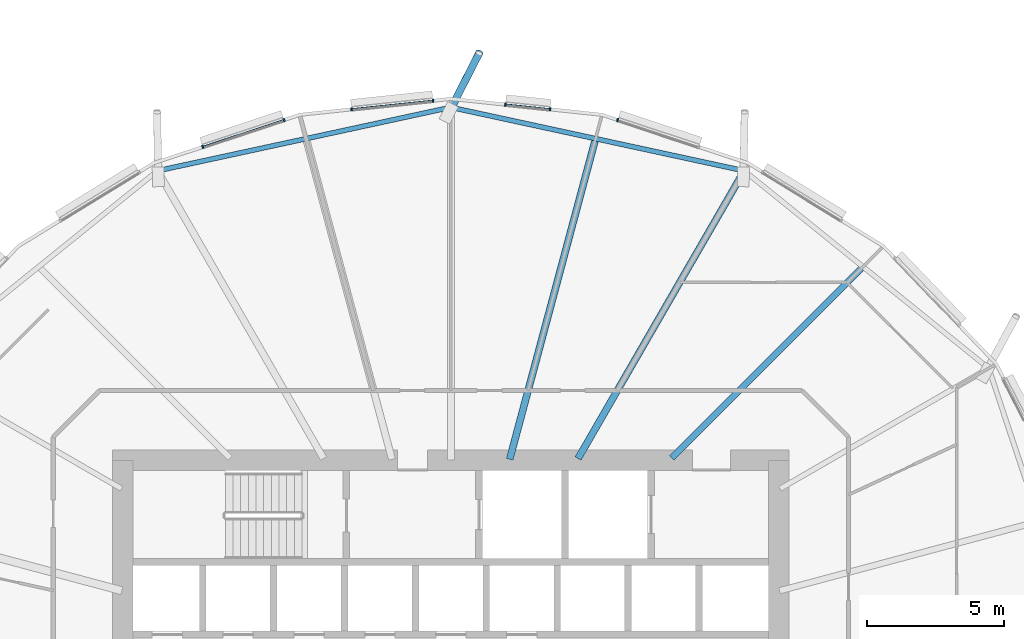
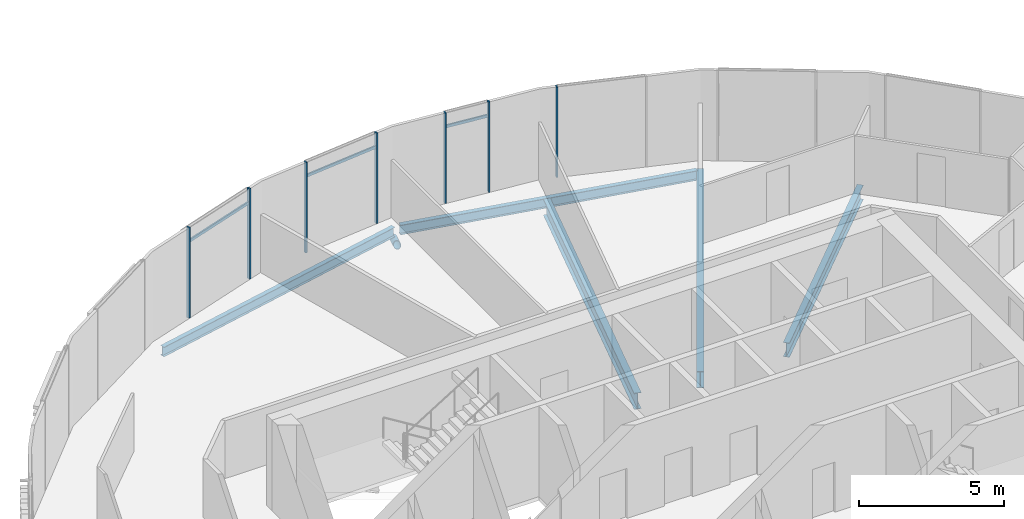
# One storey, part 10 of 43: 11 members, 5 beams, 1 element without a shape of its own.
"""IFC4 building model written with IfcOpenShell, lengths in metres."""

from ifc_helpers import new_model, si_unit, direction, frame, origin, origin_2d, place, context, subcontext, project, spatial, rectangle, hollow_circle, i_section, extrude, clip, halfspace, material, material_profile, profile_set, type_object, element, aggregate, save


model = new_model("IFC4")

# Units and contexts
model_context = context("Model", 3, precision=1e-05, world=origin(), true_north=direction((0.0, 1.0)))
body_context = subcontext(model_context, "Body", "Model", "MODEL_VIEW")
ifc_project = project(units=[si_unit("LENGTHUNIT", "METRE"), si_unit("AREAUNIT", "SQUARE_METRE"), si_unit("VOLUMEUNIT", "CUBIC_METRE"), si_unit("PLANEANGLEUNIT", "RADIAN"), si_unit("MASSUNIT", "GRAM", prefix="KILO")], contexts=[model_context])

# Site, building, storey
site_placement = place(None, origin())
site = spatial("IfcSite", under=ifc_project, at=site_placement, CompositionType="ELEMENT")
building_placement = place(site_placement, origin())
building = spatial("IfcBuilding", under=site, at=building_placement, Name="Rimbun Link Towers", CompositionType="ELEMENT")
storey_placement = place(building_placement, frame((0.0, 0.0, 81.60009765625)))
storey = spatial("IfcBuildingStorey", under=building, at=storey_placement, Name="L19", CompositionType="ELEMENT", Elevation=81.60009765625)

# Curtain wall, members
ifc_material_1 = material(Name="Aluminium 6063-T6 and low-iron glass", Category="aluminium")
curtain_wall_type = type_object("IfcCurtainWallType", Name="CW1-Z2 unitised vision wall (zone 2)", PredefinedType="NOTDEFINED", material=ifc_material_1)
curtain_wall_placement = place(storey_placement, origin())
curtain_wall = element("IfcCurtainWall", 1, at=curtain_wall_placement, inside=storey, type_object=curtain_wall_type, Name="CW1 L19 T1", PredefinedType="NOTDEFINED")
ifc_material_2 = material(Name="Aluminium 6063-T6", Category="aluminium")
ifc_material_profile_1 = material_profile(ifc_material_2, rectangle(XDim=0.1201171875, YDim=0.06005859375, at=origin_2d()), Name="MULLION 60X120")
ifc_profile_set_1 = profile_set([ifc_material_profile_1], Name="Aluminium 6063-T6")
member_type_1 = type_object("IfcMemberType", Name="CW1 mullion 60X120", PredefinedType="MULLION", material=ifc_profile_set_1)
member_1_placement = place(storey_placement, frame((-25.645751953125, 20.453369140625, 0.0), z_axis=(0.0, 0.0, 1.0), x_axis=(0.314576015911, 0.949232284646, 0.0)))
member_1 = element("IfcMember", 2, at=member_1_placement, type_object=member_type_1, Name="CW1 mullion", PredefinedType="MULLION", context=body_context, shape_type="SweptSolid", body=[
    extrude(rectangle(XDim=0.1201171875, YDim=0.06005859375, at=origin_2d()), origin(), (0.0, 0.0, 1.0), 3.7998046875),
])
member_2_placement = place(storey_placement, frame((-29.754638671875, 21.01611328125, 0.0), z_axis=(0.0, 0.0, 1.0), x_axis=(0.104736404583, 0.994500017876, 0.0)))
member_2 = element("IfcMember", 3, at=member_2_placement, type_object=member_type_1, Name="CW1 mullion", PredefinedType="MULLION", context=body_context, shape_type="SweptSolid", body=[
    extrude(rectangle(XDim=0.1201171875, YDim=0.06005859375, at=origin_2d()), origin(), (0.0, 0.0, 1.0), 3.7998046875),
])
member_3_placement = place(storey_placement, frame((-28.117431640625, 20.84375, 0.0), z_axis=(0.0, 0.0, 1.0), x_axis=(0.104736404583, 0.994500017876, 0.0)))
member_3 = element("IfcMember", 4, at=member_3_placement, type_object=member_type_1, Name="CW1 mullion", PredefinedType="MULLION", context=body_context, shape_type="SweptSolid", body=[
    extrude(rectangle(XDim=0.1201171875, YDim=0.06005859375, at=origin_2d()), origin(), (0.0, 0.0, 1.0), 3.7998046875),
])
member_4_placement = place(storey_placement, frame((-35.382568359375, 20.84375, 0.0), z_axis=(0.0, 0.0, 1.0), x_axis=(-0.104736404583, 0.994500017876, 0.0)))
member_4 = element("IfcMember", 5, at=member_4_placement, type_object=member_type_1, Name="CW1 mullion", PredefinedType="MULLION", context=body_context, shape_type="SweptSolid", body=[
    extrude(rectangle(XDim=0.1201171875, YDim=0.06005859375, at=origin_2d()), origin(), (0.0, 0.0, 1.0), 3.7998046875),
])
member_5_placement = place(storey_placement, frame((-32.402587890625, 21.157470703125, 0.0), z_axis=(0.0, 0.0, 1.0), x_axis=(-0.104736404583, 0.994500017876, 0.0)))
member_5 = element("IfcMember", 6, at=member_5_placement, type_object=member_type_1, Name="CW1 mullion", PredefinedType="MULLION", context=body_context, shape_type="SweptSolid", body=[
    extrude(rectangle(XDim=0.1201171875, YDim=0.06005859375, at=origin_2d()), origin(), (0.0, 0.0, 1.0), 3.7998046875),
])
member_6_placement = place(storey_placement, frame((-40.8271484375, 19.468017578125, 0.0), z_axis=(0.0, 0.0, 1.0), x_axis=(-0.314576015911, 0.949232284646, 0.0)))
member_6 = element("IfcMember", 7, at=member_6_placement, type_object=member_type_1, Name="CW1 mullion", PredefinedType="MULLION", context=body_context, shape_type="SweptSolid", body=[
    extrude(rectangle(XDim=0.1201171875, YDim=0.06005859375, at=origin_2d()), origin(), (0.0, 0.0, 1.0), 3.7998046875),
])
member_7_placement = place(storey_placement, frame((-37.854248046875, 20.453369140625, 0.0), z_axis=(0.0, 0.0, 1.0), x_axis=(-0.314576015911, 0.949232284646, 0.0)))
member_7 = element("IfcMember", 8, at=member_7_placement, type_object=member_type_1, Name="CW1 mullion", PredefinedType="MULLION", context=body_context, shape_type="SweptSolid", body=[
    extrude(rectangle(XDim=0.1201171875, YDim=0.06005859375, at=origin_2d()), origin(), (0.0, 0.0, 1.0), 3.7998046875),
])
ifc_material_3 = material(Name="Aluminium 6063-T6", Category="aluminium")
ifc_material_profile_2 = material_profile(ifc_material_3, rectangle(XDim=0.06005859375, YDim=0.1201171875, at=origin_2d()), Name="TRANSOM 60X120")
ifc_profile_set_2 = profile_set([ifc_material_profile_2], Name="Aluminium 6063-T6")
member_type_2 = type_object("IfcMemberType", Name="CW1 transom 60X120", PredefinedType="USERDEFINED", material=ifc_profile_set_2)
member_8_placement = place(storey_placement, frame((-29.72509765625, 21.010986328125, 3.199951171875), z_axis=(0.99450882558, -0.104652739306, 0.0), x_axis=(0.104652739306, 0.99450882558, 0.0)))
member_8 = element("IfcMember", 9, at=member_8_placement, type_object=member_type_2, Name="CW1 transom", ObjectType="TRANSOM", PredefinedType="USERDEFINED", context=body_context, shape_type="SweptSolid", body=[
    extrude(rectangle(XDim=0.06005859375, YDim=0.1201171875, at=origin_2d()), origin(), (0.0, 0.0, 1.0), 1.58642578125),
])
member_9_placement = place(storey_placement, frame((-35.3525390625, 20.844970703125, 3.199951171875), z_axis=(0.994505908505, 0.104680456384, 0.0), x_axis=(-0.104680456384, 0.994505908505, 0.0)))
member_9 = element("IfcMember", 10, at=member_9_placement, type_object=member_type_2, Name="CW1 transom", ObjectType="TRANSOM", PredefinedType="USERDEFINED", context=body_context, shape_type="SweptSolid", body=[
    extrude(rectangle(XDim=0.06005859375, YDim=0.1201171875, at=origin_2d()), origin(), (0.0, 0.0, 1.0), 2.936279296875),
])
member_10_placement = place(storey_placement, frame((-40.798095703125, 19.4755859375, 3.199951171875), z_axis=(0.949238148414, 0.314558321452, 0.0), x_axis=(-0.314558321452, 0.949238148414, 0.0)))
member_10 = element("IfcMember", 11, at=member_10_placement, type_object=member_type_2, Name="CW1 transom", ObjectType="TRANSOM", PredefinedType="USERDEFINED", context=body_context, shape_type="SweptSolid", body=[
    extrude(rectangle(XDim=0.06005859375, YDim=0.1201171875, at=origin_2d()), origin(), (0.0, 0.0, 1.0), 3.072021484375),
])
aggregate(curtain_wall, [member_1, member_2, member_3, member_4, member_5, member_6, member_7, member_8, member_9, member_10])

# Member
ifc_material_4 = material(Name="Steel S355J2H", Category="steel")
ifc_material_profile_3 = material_profile(ifc_material_4, hollow_circle(Radius=0.136474609375, WallThickness=0.012451171875, at=origin_2d()), Name="CHS 273x12.5")
ifc_profile_set_3 = profile_set([ifc_material_profile_3], Name="Steel S355J2H")
member_type_3 = type_object("IfcMemberType", Name="Floor edge link CHS 273x12.5", PredefinedType="BRACE", material=ifc_profile_set_3)
member_11_placement = place(storey_placement, frame((-31.75, 20.864501953125, -0.961669921875), z_axis=(0.394025761172, 0.771846211464, -0.498996117602), x_axis=(-0.890655957351, 0.454677870184, 0.0)))
element("IfcMember", 12, at=member_11_placement, inside=storey, type_object=member_type_3, Name="Floor edge link T1 L19 06", PredefinedType="BRACE", context=body_context, shape_type="Clipping", body=[
    clip(extrude(hollow_circle(Radius=0.136474609375, WallThickness=0.012451171875, at=origin_2d()), frame((0.0, 0.0, -0.494140625)), (0.0, 0.0, 1.0), 3.17578125), halfspace(frame((0.0, 0.0, -0.232666015625), z_axis=(0.0, 0.866604220286, -0.498996117602)), False)),
])

# Beams
ifc_material_5 = material(Name="Steel S355J2", Category="steel")
ifc_material_profile_4 = material_profile(ifc_material_5, i_section(OverallWidth=0.177978515625, OverallDepth=0.406494140625, WebThickness=0.0078125, FlangeThickness=0.0126953125, at=origin_2d()), Name="UB 406x178x60")
ifc_profile_set_4 = profile_set([ifc_material_profile_4], Name="Steel S355J2")
beam_type_1 = type_object("IfcBeamType", Name="UB 406x178x60", PredefinedType="BEAM", material=ifc_profile_set_4)
for number, where, z_axis, x_axis, name in (
    (13, (-21.14697265625, 18.62060546875, -0.36328125), (-0.97738681587, 0.211459244686, 0.0), (-0.211459244686, -0.97738681587, 0.0), "Edge beam T1 L19 04-06"),
    (14, (-31.877685546875, 20.886962890625, -0.36328125), (-0.97738681587, -0.211459244686, 0.0), (0.211459244686, -0.97738681587, 0.0), "Edge beam T1 L19 06-08"),
):
    element("IfcBeam", number, at=place(storey_placement, frame(where, z_axis=z_axis, x_axis=x_axis)), inside=storey, type_object=beam_type_1, Name=name, PredefinedType="BEAM", context=body_context, shape_type="SweptSolid", body=[
        extrude(i_section(OverallWidth=0.177978515625, OverallDepth=0.406494140625, WebThickness=0.0078125, FlangeThickness=0.0126953125, at=origin_2d()), origin(), (0.0, 0.0, 1.0), 10.7177734375),
    ])
ifc_material_6 = material(Name="Steel S355J2", Category="steel")
ifc_material_profile_5 = material_profile(ifc_material_6, i_section(OverallWidth=0.2275390625, OverallDepth=0.6025390625, WebThickness=0.010498046875, FlangeThickness=0.014892578125, at=origin_2d()), Name="UB 610x229x101")
ifc_profile_set_5 = profile_set([ifc_material_profile_5], Name="Steel S355J2")
beam_type_2 = type_object("IfcBeamType", Name="UB 610x229x101", PredefinedType="BEAM", material=ifc_profile_set_5)
beam_1_placement = place(storey_placement, frame((-23.668701171875, 8.081298828125, -0.46142578125), z_axis=(0.707106781187, 0.707106781187, 0.0), x_axis=(-0.707106781187, 0.707106781187, 0.0)))
element("IfcBeam", 15, at=beam_1_placement, inside=storey, type_object=beam_type_2, Name="Radial beam T1 L19 03", PredefinedType="BEAM", context=body_context, shape_type="SweptSolid", body=[
    extrude(i_section(OverallWidth=0.2275390625, OverallDepth=0.6025390625, WebThickness=0.010498046875, FlangeThickness=0.014892578125, at=origin_2d()), origin(), (0.0, 0.0, 1.0), 9.809326171875),
])
ifc_material_7 = material(Name="Steel S355J2", Category="steel")
ifc_material_profile_6 = material_profile(ifc_material_7, i_section(OverallWidth=0.253662109375, OverallDepth=0.68359375, WebThickness=0.012451171875, FlangeThickness=0.01904296875, at=origin_2d()), Name="UB 686x254x140")
ifc_profile_set_6 = profile_set([ifc_material_profile_6], Name="Steel S355J2")
beam_type_3 = type_object("IfcBeamType", Name="UB 686x254x140", PredefinedType="BEAM", material=ifc_profile_set_6)
beam_2_placement = place(storey_placement, frame((-27.093994140625, 8.064208984375, -0.501953125), z_axis=(0.499998860433, 0.866026061713, 0.0), x_axis=(-0.866026061713, 0.499998860433, 0.0)))
element("IfcBeam", 16, at=beam_2_placement, inside=storey, type_object=beam_type_3, Name="Radial beam T1 L19 04", PredefinedType="BEAM", context=body_context, shape_type="SweptSolid", body=[
    extrude(i_section(OverallWidth=0.253662109375, OverallDepth=0.68359375, WebThickness=0.012451171875, FlangeThickness=0.01904296875, at=origin_2d()), origin(), (0.0, 0.0, 1.0), 12.15673828125),
])
beam_3_placement = place(storey_placement, frame((-29.597412109375, 8.03369140625, -0.501953125), z_axis=(0.258821765746, 0.965925097291, 0.0), x_axis=(-0.965925097291, 0.258821765746, 0.0)))
element("IfcBeam", 17, at=beam_3_placement, inside=storey, type_object=beam_type_3, Name="Radial beam T1 L19 05", PredefinedType="BEAM", context=body_context, shape_type="SweptSolid", body=[
    extrude(i_section(OverallWidth=0.253662109375, OverallDepth=0.68359375, WebThickness=0.012451171875, FlangeThickness=0.01904296875, at=origin_2d()), origin(), (0.0, 0.0, 1.0), 12.058837890625),
])

save(model, "model.ifc")
